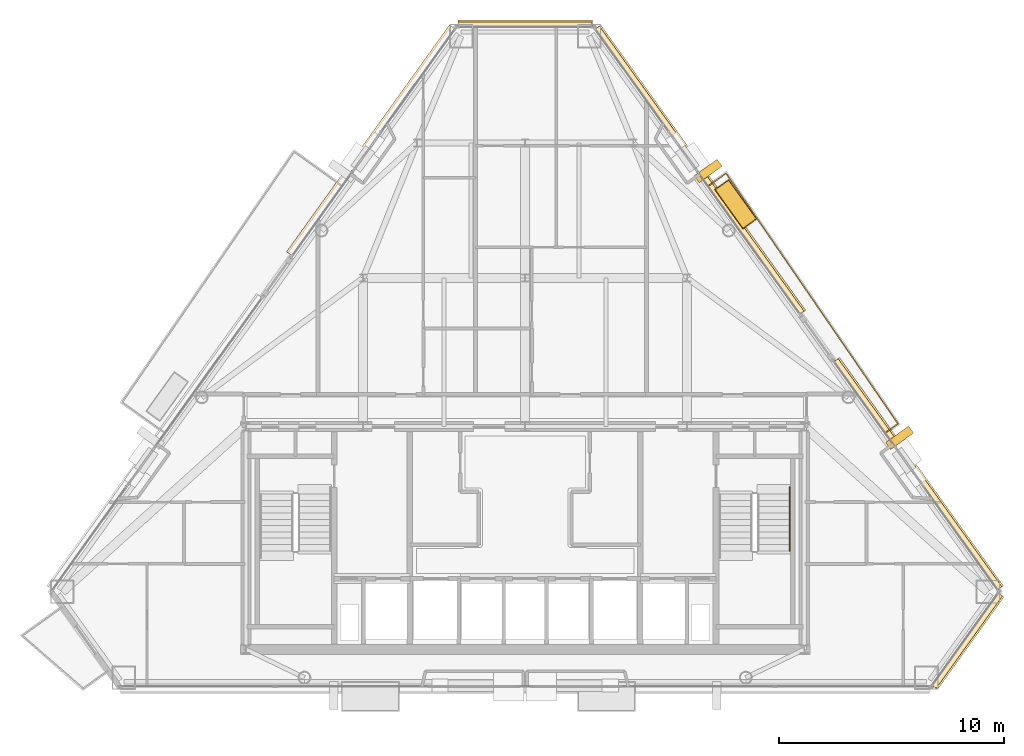
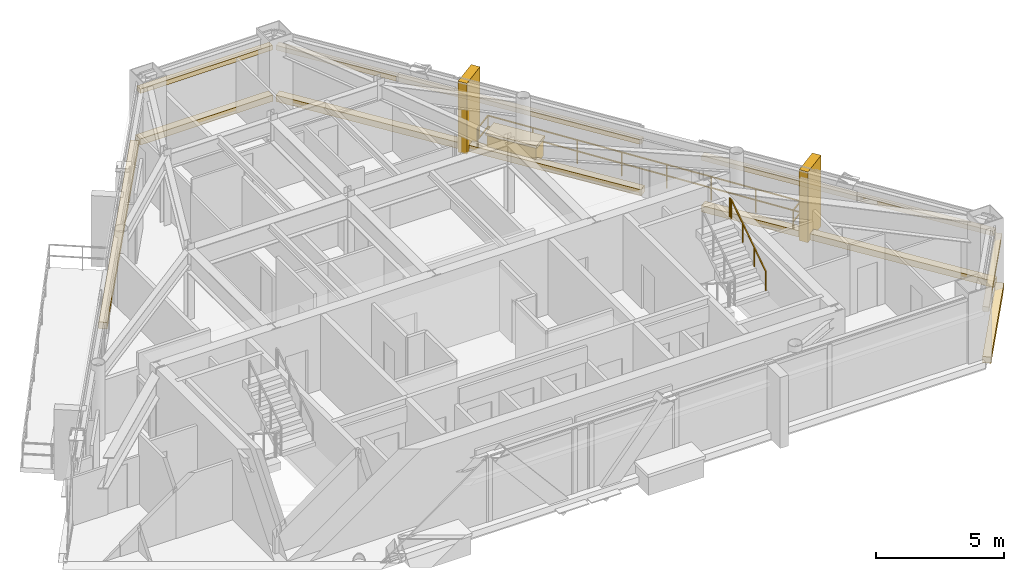
# One storey, part 12 of 12: 13 coverings, 2 railings.
"""IFC4 building model written with IfcOpenShell, lengths in metres."""

from ifc_helpers import new_model, si_unit, direction, frame, origin, origin_2d, place, context, subcontext, project, spatial, rectangle, extrude, material, layer, layer_set, type_object, element, save


model = new_model("IFC4")

# Units and contexts
model_context = context("Model", 3, precision=1e-05, world=origin(), true_north=direction((0.0, 1.0)))
body_context = subcontext(model_context, "Body", "Model", "MODEL_VIEW")
ifc_project = project(units=[si_unit("LENGTHUNIT", "METRE"), si_unit("AREAUNIT", "SQUARE_METRE"), si_unit("VOLUMEUNIT", "CUBIC_METRE"), si_unit("PLANEANGLEUNIT", "RADIAN"), si_unit("MASSUNIT", "GRAM", prefix="KILO")], contexts=[model_context])

# Site, building, storey
site_placement = place(None, origin())
site = spatial("IfcSite", under=ifc_project, at=site_placement, CompositionType="ELEMENT")
building_placement = place(site_placement, origin())
building = spatial("IfcBuilding", under=site, at=building_placement, Name="Talgorran Terracotta Tower", CompositionType="ELEMENT")
storey_placement = place(building_placement, frame((0.0, 0.0, 225.300048828125)))
storey = spatial("IfcBuildingStorey", under=building, at=storey_placement, Name="L59", CompositionType="ELEMENT", Elevation=225.300048828125)

# Coverings
ifc_material_1 = material(Name="Kiln-Fired Terracotta Ochre Ceramic", Category="masonry")
ifc_layer_1 = layer(ifc_material_1, 0.179931640625, Name="COV_BAGUETTE_TERRACOTTA_SCREEN")
ifc_layer_set_1 = layer_set([ifc_layer_1], Name="Kiln-Fired Terracotta Ochre Ceramic")
covering_type_1 = type_object("IfcCoveringType", Name="COV_BAGUETTE_TERRACOTTA_SCREEN", PredefinedType="CLADDING", material=ifc_layer_set_1)
covering_1_placement = place(storey_placement, frame((19.62841796875, -13.7041015625, 2.41015625), z_axis=(0.0, 0.0, 1.0), x_axis=(0.583115925445, 0.812388957023, 0.0)))
element("IfcCovering", 1, at=covering_1_placement, inside=storey, type_object=covering_type_1, Name="L59 Terracotta Baguette Solar Screen Assembly F2", PredefinedType="CLADDING", context=body_context, shape_type="SweptSolid", body=[
    extrude(rectangle(XDim=5.04541015625, YDim=0.260009765625, at=origin_2d()), origin(), (0.0, 0.0, 1.0), 0.219970703125),
])
covering_2_placement = place(storey_placement, frame((17.439453125, -6.3251953125, 2.41015625), z_axis=(0.0, 0.0, 1.0), x_axis=(-0.583115925445, 0.812388957023, 0.0)))
element("IfcCovering", 2, at=covering_2_placement, inside=storey, type_object=covering_type_1, Name="L59 Terracotta Baguette Solar Screen Assembly F40", PredefinedType="CLADDING", context=body_context, shape_type="SweptSolid", body=[
    extrude(rectangle(XDim=12.473388671875, YDim=0.260009765625, at=origin_2d()), origin(), (0.0, 0.0, 1.0), 0.219970703125),
])
covering_3_placement = place(storey_placement, frame((7.740234375, 7.187744140625, 2.41015625), z_axis=(0.0, 0.0, 1.0), x_axis=(-0.583115925445, 0.812388957023, 0.0)))
element("IfcCovering", 3, at=covering_3_placement, inside=storey, type_object=covering_type_1, Name="L59 Terracotta Baguette Solar Screen Assembly F41", PredefinedType="CLADDING", context=body_context, shape_type="SweptSolid", body=[
    extrude(rectangle(XDim=15.593994140625, YDim=0.260009765625, at=origin_2d()), origin(), (0.0, 0.0, 1.0), 0.219970703125),
])
covering_4_placement = place(storey_placement, frame((0.0, 13.653076171875, 2.41015625), z_axis=(0.0, 0.0, 1.0), x_axis=(-1.0, 0.0, 0.0)))
element("IfcCovering", 4, at=covering_4_placement, inside=storey, type_object=covering_type_1, Name="L59 Terracotta Baguette Solar Screen Assembly F4", PredefinedType="CLADDING", context=body_context, shape_type="SweptSolid", body=[
    extrude(rectangle(XDim=5.95654296875, YDim=0.260009765625, at=origin_2d()), origin(), (0.0, 0.0, 1.0), 0.219970703125),
])
ifc_material_2 = material(Name="Honed Limestone and Terracotta Planter", Category="masonry")
ifc_layer_2 = layer(ifc_material_2, 0.1201171875, Name="COV_PLANTER_BOX")
ifc_layer_set_2 = layer_set([ifc_layer_2], Name="Honed Limestone and Terracotta Planter")
covering_type_2 = type_object("IfcCoveringType", Name="COV_PLANTER_BOX", PredefinedType="CLADDING", material=ifc_layer_set_2)
covering_5_placement = place(storey_placement, frame((9.359619140625, 5.677490234375, -0.02001953125), z_axis=(0.0, 0.0, 1.0), x_axis=(-0.583115925445, 0.812388957023, 0.0)))
element("IfcCovering", 5, at=covering_5_placement, inside=storey, type_object=covering_type_2, Name="L59 Staggered Balcony Planter Box BAL-NE", PredefinedType="CLADDING", context=body_context, shape_type="SweptSolid", body=[
    extrude(rectangle(XDim=2.10009765625, YDim=0.719970703125, at=origin_2d()), origin(), (0.0, 0.0, 1.0), 0.860107421875),
])
ifc_material_3 = material(Name="Kiln-Fired Terracotta Planter Rim", Category="masonry")
ifc_layer_3 = layer(ifc_material_3, 0.10009765625, Name="COV_PLANTER_RIM")
ifc_layer_set_3 = layer_set([ifc_layer_3], Name="Kiln-Fired Terracotta Planter Rim")
covering_type_3 = type_object("IfcCoveringType", Name="COV_PLANTER_RIM", PredefinedType="CLADDING", material=ifc_layer_set_3)
covering_6_placement = place(storey_placement, frame((9.359619140625, 5.677490234375, 0.7998046875), z_axis=(0.0, 0.0, 1.0), x_axis=(-0.583115925445, 0.812388957023, 0.0)))
element("IfcCovering", 6, at=covering_6_placement, inside=storey, type_object=covering_type_3, Name="L59 Balcony Planter Terracotta Rim BAL-NE", PredefinedType="CLADDING", context=body_context, shape_type="SweptSolid", body=[
    extrude(rectangle(XDim=2.179931640625, YDim=0.780029296875, at=origin_2d()), origin(), (0.0, 0.0, 1.0), 0.1201171875),
])
ifc_material_4 = material(Name="Honed Limestone Cladding", Category="masonry")
ifc_layer_4 = layer(ifc_material_4, 0.094970703125, Name="COV_PORTAL_LIME")
ifc_layer_set_4 = layer_set([ifc_layer_4], Name="Honed Limestone Cladding")
covering_type_4 = type_object("IfcCoveringType", Name="COV_PORTAL_LIME", PredefinedType="CLADDING", material=ifc_layer_set_4)
covering_7_placement = place(storey_placement, frame((16.638671875, -4.695068359375, -0.050048828125), z_axis=(0.0, 0.0, 1.0), x_axis=(-0.583115925445, 0.812388957023, 0.0)))
element("IfcCovering", 7, at=covering_7_placement, inside=storey, type_object=covering_type_4, Name="L59 White Striped Portal Fin F3-1", PredefinedType="CLADDING", context=body_context, shape_type="SweptSolid", body=[
    extrude(rectangle(XDim=0.3798828125, YDim=1.25, at=origin_2d()), origin(), (0.0, 0.0, 1.0), 3.3701171875),
])
ifc_material_5 = material(Name="Kiln-Fired Terracotta Cladding", Category="masonry")
ifc_layer_5 = layer(ifc_material_5, 0.090087890625, Name="COV_PORTAL_TERRA")
ifc_layer_set_5 = layer_set([ifc_layer_5], Name="Kiln-Fired Terracotta Cladding")
covering_type_5 = type_object("IfcCoveringType", Name="COV_PORTAL_TERRA", PredefinedType="CLADDING", material=ifc_layer_set_5)
covering_8_placement = place(storey_placement, frame((19.660888671875, -13.7275390625, -0.0400390625), z_axis=(0.0, 0.0, 1.0), x_axis=(0.583115925445, 0.812388957023, 0.0)))
element("IfcCovering", 8, at=covering_8_placement, inside=storey, type_object=covering_type_5, Name="L59 Striped Postmodern Portal Cladding Band F2", PredefinedType="CLADDING", context=body_context, shape_type="SweptSolid", body=[
    extrude(rectangle(XDim=5.0654296875, YDim=0.340087890625, at=origin_2d()), origin(), (0.0, 0.0, 1.0), 0.300048828125),
])
covering_9_placement = place(storey_placement, frame((17.471923828125, -6.302001953125, -0.0400390625), z_axis=(0.0, 0.0, 1.0), x_axis=(-0.583115925445, 0.812388957023, 0.0)))
element("IfcCovering", 9, at=covering_9_placement, inside=storey, type_object=covering_type_5, Name="L59 Striped Postmodern Portal Cladding Band F40", PredefinedType="CLADDING", context=body_context, shape_type="SweptSolid", body=[
    extrude(rectangle(XDim=12.493408203125, YDim=0.340087890625, at=origin_2d()), origin(), (0.0, 0.0, 1.0), 0.300048828125),
])
covering_10_placement = place(storey_placement, frame((7.772705078125, 7.2109375, -0.0400390625), z_axis=(0.0, 0.0, 1.0), x_axis=(-0.583115925445, 0.812388957023, 0.0)))
element("IfcCovering", 10, at=covering_10_placement, inside=storey, type_object=covering_type_5, Name="L59 Striped Postmodern Portal Cladding Band F41", PredefinedType="CLADDING", context=body_context, shape_type="SweptSolid", body=[
    extrude(rectangle(XDim=15.614013671875, YDim=0.340087890625, at=origin_2d()), origin(), (0.0, 0.0, 1.0), 0.300048828125),
])
covering_11_placement = place(storey_placement, frame((0.0, 13.693115234375, -0.0400390625), z_axis=(0.0, 0.0, 1.0), x_axis=(-1.0, 0.0, 0.0)))
element("IfcCovering", 11, at=covering_11_placement, inside=storey, type_object=covering_type_5, Name="L59 Striped Postmodern Portal Cladding Band F4", PredefinedType="CLADDING", context=body_context, shape_type="SweptSolid", body=[
    extrude(rectangle(XDim=5.9765625, YDim=0.340087890625, at=origin_2d()), origin(), (0.0, 0.0, 1.0), 0.300048828125),
])
covering_12_placement = place(storey_placement, frame((-6.84130859375, 8.508544921875, -0.0400390625), z_axis=(0.0, 0.0, 1.0), x_axis=(-0.583115925445, -0.812388957023, 0.0)))
element("IfcCovering", 12, at=covering_12_placement, inside=storey, type_object=covering_type_5, Name="L59 Striped Postmodern Portal Cladding Band F60", PredefinedType="CLADDING", context=body_context, shape_type="SweptSolid", body=[
    extrude(rectangle(XDim=12.419921875, YDim=0.340087890625, at=origin_2d()), origin(), (0.0, 0.0, 1.0), 0.300048828125),
])
covering_13_placement = place(storey_placement, frame((8.133056640625, 7.15478515625, -0.050048828125), z_axis=(0.0, 0.0, 1.0), x_axis=(-0.583115925445, 0.812388957023, 0.0)))
element("IfcCovering", 13, at=covering_13_placement, inside=storey, type_object=covering_type_5, Name="L59 Terracotta Striped Portal Fin F3-2", PredefinedType="CLADDING", context=body_context, shape_type="SweptSolid", body=[
    extrude(rectangle(XDim=0.3798828125, YDim=1.25, at=origin_2d()), origin(), (0.0, 0.0, 1.0), 3.3701171875),
])

# Railings
ifc_material_6 = material(Name="Laminated Glass and Stainless Steel 316", Category="steel")
railing_type_1 = type_object("IfcRailingType", Name="RL_BALCONY_1150", PredefinedType="BALUSTRADE", material=ifc_material_6)
railing_1_placement = place(storey_placement, frame((16.01171875, -4.473388671875, 0.0)))
element("IfcRailing", 14, at=railing_1_placement, inside=storey, type_object=railing_type_1, Name="RL-L59-BAL-BAL-NE", PredefinedType="BALUSTRADE", context=body_context, shape_type="SweptSolid", body=[
    extrude(rectangle(XDim=0.048095703125, YDim=0.048095703125, at=origin_2d()), frame((0.0, 0.0, 1.1259765625), z_axis=(0.812527237608, 0.58292322663, 0.0), x_axis=(-0.58292322663, 0.812527237608, 0.0)), (0.0, 0.0, 1.0), 0.684814453125),
    extrude(rectangle(XDim=0.048095703125, YDim=0.048095703125, at=origin_2d()), frame((0.0, 0.0, 0.597900390625), z_axis=(0.812527237608, 0.58292322663, 0.0), x_axis=(-0.58292322663, 0.812527237608, 0.0)), (0.0, 0.0, 1.0), 0.684814453125),
    extrude(rectangle(XDim=0.048095703125, YDim=0.048095703125, at=origin_2d()), frame((0.556396484375, 0.399169921875, 1.1259765625), z_axis=(-0.565947608232, 0.824441207568, 0.0), x_axis=(-0.824441207568, -0.565947608232, 0.0)), (0.0, 0.0, 1.0), 13.49853515625),
    extrude(rectangle(XDim=0.048095703125, YDim=0.048095703125, at=origin_2d()), frame((0.556396484375, 0.399169921875, 0.597900390625), z_axis=(-0.565947608232, 0.824441207568, 0.0), x_axis=(-0.824441207568, -0.565947608232, 0.0)), (0.0, 0.0, 1.0), 13.49853515625),
    extrude(rectangle(XDim=0.048095703125, YDim=0.048095703125, at=origin_2d()), frame((-7.0830078125, 11.52783203125, 1.1259765625), z_axis=(-0.812504484457, -0.582954940572, 0.0), x_axis=(0.582954940572, -0.812504484457, 0.0)), (0.0, 0.0, 1.0), 0.9677734375),
    extrude(rectangle(XDim=0.048095703125, YDim=0.048095703125, at=origin_2d()), frame((-7.0830078125, 11.52783203125, 0.597900390625), z_axis=(-0.812504484457, -0.582954940572, 0.0), x_axis=(0.582954940572, -0.812504484457, 0.0)), (0.0, 0.0, 1.0), 0.9677734375),
    extrude(rectangle(XDim=0.0419921875, YDim=0.0419921875, at=origin_2d()), origin(), (0.0, 0.0, 1.0), 1.101806640625),
    extrude(rectangle(XDim=0.0419921875, YDim=0.0419921875, at=origin_2d()), frame((0.556396484375, 0.399169921875, 0.0)), (0.0, 0.0, 1.0), 1.101806640625),
    extrude(rectangle(XDim=0.0419921875, YDim=0.0419921875, at=origin_2d()), frame((-0.534912109375, 1.989013671875, 0.0)), (0.0, 0.0, 1.0), 1.101806640625),
    extrude(rectangle(XDim=0.0419921875, YDim=0.0419921875, at=origin_2d()), frame((-1.626220703125, 3.578857421875, 0.0)), (0.0, 0.0, 1.0), 1.101806640625),
    extrude(rectangle(XDim=0.0419921875, YDim=0.0419921875, at=origin_2d()), frame((-2.717529296875, 5.168701171875, 0.0)), (0.0, 0.0, 1.0), 1.101806640625),
    extrude(rectangle(XDim=0.0419921875, YDim=0.0419921875, at=origin_2d()), frame((-3.80908203125, 6.75830078125, 0.0)), (0.0, 0.0, 1.0), 1.101806640625),
    extrude(rectangle(XDim=0.0419921875, YDim=0.0419921875, at=origin_2d()), frame((-4.900390625, 8.34814453125, 0.0)), (0.0, 0.0, 1.0), 1.101806640625),
    extrude(rectangle(XDim=0.0419921875, YDim=0.0419921875, at=origin_2d()), frame((-5.99169921875, 9.93798828125, 0.0)), (0.0, 0.0, 1.0), 1.101806640625),
    extrude(rectangle(XDim=0.0419921875, YDim=0.0419921875, at=origin_2d()), frame((-7.0830078125, 11.52783203125, 0.0)), (0.0, 0.0, 1.0), 1.101806640625),
    extrude(rectangle(XDim=0.0419921875, YDim=0.0419921875, at=origin_2d()), frame((-7.869384765625, 10.963623046875, 0.0)), (0.0, 0.0, 1.0), 1.101806640625),
])
ifc_material_7 = material(Name="Steel S355 (300PLUS)", Category="steel")
railing_type_2 = type_object("IfcRailingType", Name="RL_HANDRAIL_920", PredefinedType="HANDRAIL", material=ifc_material_7)
railing_2_placement = place(storey_placement, frame((11.75, -9.719970703125, 1.97998046875)))
element("IfcRailing", 15, at=railing_2_placement, inside=storey, type_object=railing_type_2, Name="L59 ST-02 stair handrail 2", PredefinedType="HANDRAIL", context=body_context, shape_type="SweptSolid", body=[
    extrude(rectangle(XDim=0.048095703125, YDim=0.048095703125, at=origin_2d()), frame((0.0, 0.0, 0.89599609375), z_axis=(0.0, 0.832038719335, 0.554717558338), x_axis=(-1.0, 0.0, 0.0)), (0.0, 0.0, 1.0), 3.244873046875),
    extrude(rectangle(XDim=0.048095703125, YDim=0.048095703125, at=origin_2d()), frame((0.0, 2.699951171875, 2.69580078125), z_axis=(0.0, 1.0, 0.0), x_axis=(-1.0, 0.0, 0.0)), (0.0, 0.0, 1.0), 0.1201171875),
    extrude(rectangle(XDim=0.0419921875, YDim=0.0419921875, at=origin_2d()), origin(), (0.0, 0.0, 1.0), 0.871826171875),
    extrude(rectangle(XDim=0.0419921875, YDim=0.0419921875, at=origin_2d()), frame((0.0, 0.89990234375, 0.60009765625)), (0.0, 0.0, 1.0), 0.871826171875),
    extrude(rectangle(XDim=0.0419921875, YDim=0.0419921875, at=origin_2d()), frame((0.0, 1.800048828125, 1.199951171875)), (0.0, 0.0, 1.0), 0.871826171875),
    extrude(rectangle(XDim=0.0419921875, YDim=0.0419921875, at=origin_2d()), frame((0.0, 2.699951171875, 1.800048828125)), (0.0, 0.0, 1.0), 0.871826171875),
    extrude(rectangle(XDim=0.0419921875, YDim=0.0419921875, at=origin_2d()), frame((0.0, 2.820068359375, 1.800048828125)), (0.0, 0.0, 1.0), 0.871826171875),
])

save(model, "model.ifc")
